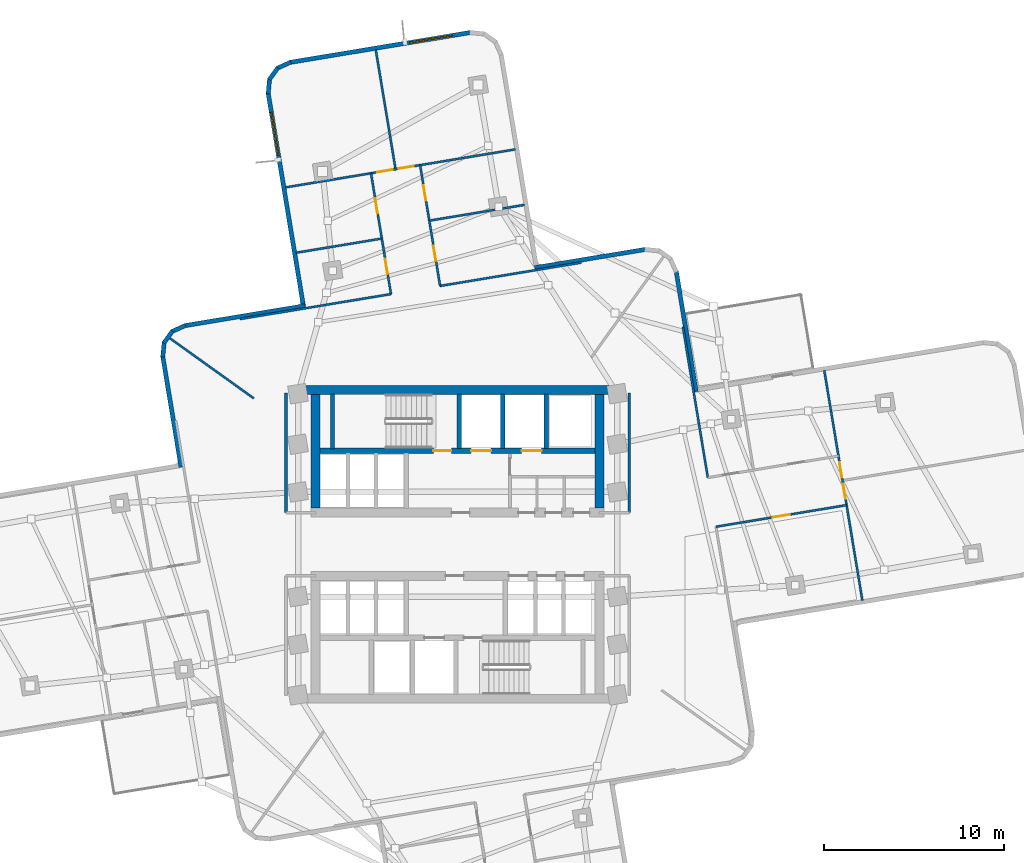
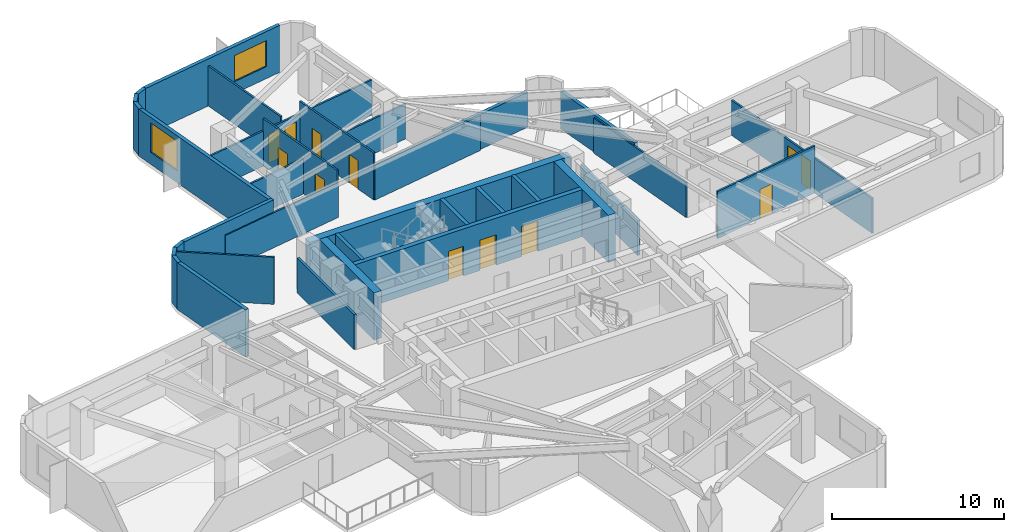
# One storey, part 5 of 9: 34 walls, 12 doors, 2 windows, 14 openings.
"""IFC4 building model written with IfcOpenShell, lengths in metres."""

from ifc_helpers import new_model, si_unit, direction, frame, frame_2d, origin, place, context, subcontext, project, spatial, rectangle, extrude, material, layer, layer_set, type_object, element, fill, save


model = new_model("IFC4")

# Units and contexts
model_context = context("Model", 3, precision=1e-05, world=origin(), true_north=direction((0.0, 1.0)))
body_context = subcontext(model_context, "Body", "Model", "MODEL_VIEW")
ifc_project = project(units=[si_unit("LENGTHUNIT", "METRE"), si_unit("AREAUNIT", "SQUARE_METRE"), si_unit("VOLUMEUNIT", "CUBIC_METRE"), si_unit("PLANEANGLEUNIT", "RADIAN"), si_unit("MASSUNIT", "GRAM", prefix="KILO")], contexts=[model_context])

# Site, building, storey
site_placement = place(None, origin())
site = spatial("IfcSite", under=ifc_project, at=site_placement, CompositionType="ELEMENT")
building_placement = place(site_placement, origin())
building = spatial("IfcBuilding", under=site, at=building_placement, Name="Solmarez Civic Tower", CompositionType="ELEMENT")
storey_placement = place(building_placement, frame((0.0, 0.0, 92.8798828125)))
storey = spatial("IfcBuildingStorey", under=building, at=storey_placement, Name="L24", CompositionType="ELEMENT", Elevation=92.8798828125)

# Walls
ifc_material_1 = material(Name="Concrete C60/75", Category="concrete")
ifc_layer_1 = layer(ifc_material_1, 0.5)
ifc_layer_set_1 = layer_set([ifc_layer_1], Name="Concrete C60/75")
wall_type_1 = type_object("IfcWallType", Name="WALL-CORE-500", PredefinedType="SHEAR", material=ifc_layer_set_1)
wall_1_placement = place(storey_placement, frame((-8.780029296875, 8.56005859375, 0.0), z_axis=(0.0, 0.0, 1.0), x_axis=(1.0, 0.0, 0.0)))
element("IfcWall", 1, at=wall_1_placement, inside=storey, type_object=wall_type_1, Name="L24 Split-Core Structural Wall NCW-N-L24", PredefinedType="SHEAR", context=body_context, shape_type="SweptSolid", body=[
    extrude(rectangle(XDim=17.56005859375, YDim=0.5, at=frame_2d((8.780029296875, 0.0))), origin(), (0.0, 0.0, 1.0), 3.340087890625),
])
for number, where, z_axis, x_axis, name in (
    (2, (-7.8701171875, 2.0, 0.0), (0.0, 0.0, 1.0), (0.0, 1.0, 0.0), "L24 Split-Core Structural Wall NCW-W-L24"),
    (3, (7.8701171875, 8.31005859375, 0.0), (0.0, 0.0, 1.0), (0.0, -1.0, 0.0), "L24 Split-Core Structural Wall NCW-E-L24"),
):
    element("IfcWall", number, at=place(storey_placement, frame(where, z_axis=z_axis, x_axis=x_axis)), inside=storey, type_object=wall_type_1, Name=name, PredefinedType="SHEAR", context=body_context, shape_type="SweptSolid", body=[
        extrude(rectangle(XDim=6.31005859375, YDim=0.5, at=frame_2d((3.155029296875, 0.0))), origin(), (0.0, 0.0, 1.0), 3.340087890625),
    ])
ifc_material_2 = material(Name="Precast concrete C40/50", Category="concrete")
ifc_layer_2 = layer(ifc_material_2, 0.239990234375)
ifc_layer_set_2 = layer_set([ifc_layer_2], Name="Precast concrete C40/50")
wall_type_2 = type_object("IfcWallType", Name="WALL-EXT-240", PredefinedType="SOLIDWALL", material=ifc_layer_set_2)
wall_2_placement = place(storey_placement, frame((-15.3349609375, 4.27587890625, 0.0), z_axis=(0.0, 0.0, 1.0), x_axis=(-0.16323720082, 0.986586851863, 0.0)))
element("IfcWall", 4, at=wall_2_placement, inside=storey, type_object=wall_type_2, Name="L24 Exterior Precast Wall 13", PredefinedType="SOLIDWALL", context=body_context, shape_type="SweptSolid", body=[
    extrude(rectangle(XDim=6.23681640625, YDim=0.239990234375, at=frame_2d((3.118408203125, 0.0))), origin(), (0.0, 0.0, 1.0), 3.340087890625),
])
wall_3_placement = place(storey_placement, frame((-16.35107421875, 10.37890625, 0.0), z_axis=(0.0, 0.0, 1.0), x_axis=(0.096474594184, 0.995335447313, 0.0)))
element("IfcWall", 5, at=wall_3_placement, inside=storey, type_object=wall_type_2, Name="L24 Exterior Precast Wall 14", PredefinedType="SOLIDWALL", context=body_context, shape_type="SweptSolid", body=[
    extrude(rectangle(XDim=0.830078125, YDim=0.239990234375, at=frame_2d((0.4150390625, 0.0))), origin(), (0.0, 0.0, 1.0), 3.340087890625),
])
wall_4_placement = place(storey_placement, frame((-16.2880859375, 11.159912109375, 0.0), z_axis=(0.0, 0.0, 1.0), x_axis=(0.583561896965, 0.812068662375, 0.0)))
element("IfcWall", 6, at=wall_4_placement, inside=storey, type_object=wall_type_2, Name="L24 Exterior Precast Wall 15", PredefinedType="SOLIDWALL", context=body_context, shape_type="SweptSolid", body=[
    extrude(rectangle(XDim=0.814208984375, YDim=0.239990234375, at=frame_2d((0.4072265625, 0.0))), origin(), (0.0, 0.0, 1.0), 3.340087890625),
])
wall_5_placement = place(storey_placement, frame((-15.85107421875, 11.791015625, 0.0), z_axis=(0.0, 0.0, 1.0), x_axis=(0.910868773958, 0.412696106872, 0.0)))
element("IfcWall", 7, at=wall_5_placement, inside=storey, type_object=wall_type_2, Name="L24 Exterior Precast Wall 16", PredefinedType="SOLIDWALL", context=body_context, shape_type="SweptSolid", body=[
    extrude(rectangle(XDim=0.8310546875, YDim=0.239990234375, at=frame_2d((0.41552734375, 0.0))), origin(), (0.0, 0.0, 1.0), 3.340087890625),
])
wall_6_placement = place(storey_placement, frame((-15.14208984375, 12.1201171875, 0.0), z_axis=(0.0, 0.0, 1.0), x_axis=(0.986586085056, 0.163241835244, 0.0)))
element("IfcWall", 8, at=wall_6_placement, inside=storey, type_object=wall_type_2, Name="L24 Exterior Precast Wall 17", PredefinedType="SOLIDWALL", context=body_context, shape_type="SweptSolid", body=[
    extrude(rectangle(XDim=6.77490234375, YDim=0.239990234375, at=frame_2d((3.387451171875, 0.0))), origin(), (0.0, 0.0, 1.0), 3.340087890625),
])

# Wall, opening, window
wall_7_placement = place(storey_placement, frame((-8.537109375, 13.114990234375, 0.0), z_axis=(0.0, 0.0, 1.0), x_axis=(-0.163290786455, 0.986577984276, 0.0)))
wall_7 = element("IfcWall", 9, at=wall_7_placement, inside=storey, type_object=wall_type_2, Name="L24 Exterior Precast Wall 20", PredefinedType="SOLIDWALL", context=body_context, shape_type="SweptSolid", body=[
    extrude(rectangle(XDim=12.076171875, YDim=0.239990234375, at=frame_2d((6.0380859375, 0.0))), origin(), (0.0, 0.0, 1.0), 3.340087890625),
])
opening_1_placement = place(wall_7_placement, frame((8.575927734375, 0.0, 0.85009765625)))
opening_1 = element("IfcOpeningElement", 10, at=opening_1_placement, cuts=wall_7, Name="Opening W-02", PredefinedType="OPENING", context=body_context, shape_type="SweptSolid", body=[
    extrude(rectangle(XDim=2.39990234375, YDim=2.10009765625, at=frame_2d((1.199951171875, 1.050048828125))), frame((0.0, 0.1298828125, 0.0), z_axis=(0.0, -1.0, 0.0), x_axis=(1.0, 0.0, 0.0)), (0.0, 0.0, 1.0), 0.260009765625),
])
ifc_material_3 = material(Name="Solar Control Bronze-Tinted Insulating Glass", Category="glass")
window_type_1 = type_object("IfcWindowType", Name="WIN-2400X2100", PartitioningType="SINGLE_PANEL", PredefinedType="WINDOW", material=ifc_material_3)
window_1_placement = place(opening_1_placement, origin())
window_1 = element("IfcWindow", 11, at=window_1_placement, inside=storey, type_object=window_type_1, Name="L24 Exterior Facade Window 20", OverallHeight=2.10009765625, OverallWidth=2.39990234375, PartitioningType="SINGLE_PANEL", PredefinedType="WINDOW", context=body_context, shape_type="SweptSolid", body=[
    extrude(rectangle(XDim=2.39990234375, YDim=2.10009765625, at=frame_2d((1.199951171875, 1.050048828125))), frame((0.0, 0.030029296875, 0.0), z_axis=(0.0, -1.0, 0.0), x_axis=(1.0, 0.0, 0.0)), (0.0, 0.0, 1.0), 0.06005859375),
])
fill(opening_1, window_1)

# Walls
wall_8_placement = place(storey_placement, frame((-10.507080078125, 24.97900390625, 0.0), z_axis=(0.0, 0.0, 1.0), x_axis=(0.096389937095, 0.995343649212, 0.0)))
element("IfcWall", 12, at=wall_8_placement, inside=storey, type_object=wall_type_2, Name="L24 Exterior Precast Wall 21", PredefinedType="SOLIDWALL", context=body_context, shape_type="SweptSolid", body=[
    extrude(rectangle(XDim=0.830810546875, YDim=0.239990234375, at=frame_2d((0.41552734375, 0.0))), origin(), (0.0, 0.0, 1.0), 3.340087890625),
])
wall_9_placement = place(storey_placement, frame((-10.444091796875, 25.760986328125, 0.0), z_axis=(0.0, 0.0, 1.0), x_axis=(0.583561896965, 0.812068662375, 0.0)))
element("IfcWall", 13, at=wall_9_placement, inside=storey, type_object=wall_type_2, Name="L24 Exterior Precast Wall 22", PredefinedType="SOLIDWALL", context=body_context, shape_type="SweptSolid", body=[
    extrude(rectangle(XDim=0.814208984375, YDim=0.239990234375, at=frame_2d((0.4072265625, 0.0))), origin(), (0.0, 0.0, 1.0), 3.340087890625),
])
wall_10_placement = place(storey_placement, frame((-10.007080078125, 26.39208984375, 0.0), z_axis=(0.0, 0.0, 1.0), x_axis=(0.91142038271, 0.41147647075, 0.0)))
element("IfcWall", 14, at=wall_10_placement, inside=storey, type_object=wall_type_2, Name="L24 Exterior Precast Wall 23", PredefinedType="SOLIDWALL", context=body_context, shape_type="SweptSolid", body=[
    extrude(rectangle(XDim=0.83056640625, YDim=0.239990234375, at=frame_2d((0.415283203125, 0.0))), origin(), (0.0, 0.0, 1.0), 3.340087890625),
])

# Wall, opening, window
wall_11_placement = place(storey_placement, frame((-9.298095703125, 26.719970703125, 0.0), z_axis=(0.0, 0.0, 1.0), x_axis=(0.98657583628, 0.163303763794, 0.0)))
wall_11 = element("IfcWall", 15, at=wall_11_placement, inside=storey, type_object=wall_type_2, Name="L24 Exterior Precast Wall 24", PredefinedType="SOLIDWALL", context=body_context, shape_type="SweptSolid", body=[
    extrude(rectangle(XDim=10.15869140625, YDim=0.239990234375, at=frame_2d((5.079345703125, 0.0))), origin(), (0.0, 0.0, 1.0), 3.340087890625),
])
opening_2_placement = place(wall_11_placement, frame((6.72412109375, 0.0, 0.85009765625)))
opening_2 = element("IfcOpeningElement", 16, at=opening_2_placement, cuts=wall_11, Name="Opening W-06", PredefinedType="OPENING", context=body_context, shape_type="SweptSolid", body=[
    extrude(rectangle(XDim=2.39990234375, YDim=1.85009765625, at=frame_2d((1.199951171875, 0.925048828125))), frame((0.0, 0.1298828125, 0.0), z_axis=(0.0, -1.0, 0.0), x_axis=(1.0, 0.0, 0.0)), (0.0, 0.0, 1.0), 0.260009765625),
])
window_type_2 = type_object("IfcWindowType", Name="WIN-2400X1850", PartitioningType="SINGLE_PANEL", PredefinedType="WINDOW", material=ifc_material_3)
window_2_placement = place(opening_2_placement, origin())
window_2 = element("IfcWindow", 17, at=window_2_placement, inside=storey, type_object=window_type_2, Name="L24 Exterior Facade Window 24", OverallHeight=1.85009765625, OverallWidth=2.39990234375, PartitioningType="SINGLE_PANEL", PredefinedType="WINDOW", context=body_context, shape_type="SweptSolid", body=[
    extrude(rectangle(XDim=2.39990234375, YDim=1.85009765625, at=frame_2d((1.199951171875, 0.925048828125))), frame((0.0, 0.030029296875, 0.0), z_axis=(0.0, -1.0, 0.0), x_axis=(1.0, 0.0, 0.0)), (0.0, 0.0, 1.0), 0.06005859375),
])
fill(opening_2, window_2)

# Walls
wall_12_placement = place(storey_placement, frame((4.27587890625, 15.3349609375, 0.0), z_axis=(0.0, 0.0, 1.0), x_axis=(0.986586851863, 0.16323720082, 0.0)))
element("IfcWall", 18, at=wall_12_placement, inside=storey, type_object=wall_type_2, Name="L24 Exterior Precast Wall 31", PredefinedType="SOLIDWALL", context=body_context, shape_type="SweptSolid", body=[
    extrude(rectangle(XDim=6.23681640625, YDim=0.239990234375, at=frame_2d((3.118408203125, 0.0))), origin(), (0.0, 0.0, 1.0), 2.486083984375),
])
wall_13_placement = place(storey_placement, frame((12.1201171875, 15.14208984375, 0.0), z_axis=(0.0, 0.0, 1.0), x_axis=(0.163241835244, -0.986586085056, 0.0)))
element("IfcWall", 19, at=wall_13_placement, inside=storey, type_object=wall_type_2, Name="L24 Exterior Precast Wall 35", PredefinedType="SOLIDWALL", context=body_context, shape_type="SweptSolid", body=[
    extrude(rectangle(XDim=6.77490234375, YDim=0.239990234375, at=frame_2d((3.387451171875, 0.0))), origin(), (0.0, 0.0, 1.0), 2.64404296875),
])
ifc_material_4 = material(Name="Gypsum Board Acoustic Steel-Stud Partition", Category="steel")
ifc_layer_3 = layer(ifc_material_4, 0.14990234375)
ifc_layer_set_3 = layer_set([ifc_layer_3], Name="Gypsum Board Acoustic Steel-Stud Partition")
wall_type_3 = type_object("IfcWallType", Name="WALL-INT-FIRE-150", PredefinedType="PARTITIONING", material=ifc_layer_set_3)
for number, where, z_axis, x_axis, name in (
    (20, (-9.52001953125, 1.75, 0.0), (0.0, 0.0, 1.0), (0.0, 1.0, 0.0), "L24 Interior Partition CHW-L24-WN1"),
    (21, (9.52001953125, 1.75, 0.0), (0.0, 0.0, 1.0), (0.0, 1.0, 0.0), "L24 Interior Partition CHW-L24-EN1"),
):
    element("IfcWall", number, at=place(storey_placement, frame(where, z_axis=z_axis, x_axis=x_axis)), inside=storey, type_object=wall_type_3, Name=name, PredefinedType="PARTITIONING", context=body_context, shape_type="SweptSolid", body=[
        extrude(rectangle(XDim=6.6298828125, YDim=0.14990234375, at=frame_2d((3.31494140625, 0.0))), origin(), (0.0, 0.0, 1.0), 2.486083984375),
    ])
ifc_layer_4 = layer(ifc_material_4, 0.1201171875)
ifc_layer_set_4 = layer_set([ifc_layer_4], Name="Gypsum Board Acoustic Steel-Stud Partition")
wall_type_4 = type_object("IfcWallType", Name="WALL-INT-PART-120", PredefinedType="PARTITIONING", material=ifc_layer_set_4)
wall_14_placement = place(storey_placement, frame((-11.300048828125, 8.090087890625, 0.0), z_axis=(0.0, 0.0, 1.0), x_axis=(-0.813131268368, 0.582080355623, 0.0)))
element("IfcWall", 22, at=wall_14_placement, inside=storey, type_object=wall_type_4, Name="L24 Interior Partition PT-L24-QDIV-2", PredefinedType="PARTITIONING", context=body_context, shape_type="SweptSolid", body=[
    extrude(rectangle(XDim=5.756591796875, YDim=0.1201171875, at=frame_2d((2.87841796875, 0.0))), origin(), (0.0, 0.0, 1.0), 3.340087890625),
])
wall_15_placement = place(storey_placement, frame((13.8740234375, 3.68603515625, 0.0), z_axis=(0.0, 0.0, 1.0), x_axis=(-0.163270245909, 0.98658138377, 0.0)))
element("IfcWall", 23, at=wall_15_placement, inside=storey, type_object=wall_type_4, Name="L24 Interior Partition PT-L24-E-EFL", PredefinedType="PARTITIONING", context=body_context, shape_type="SweptSolid", body=[
    extrude(rectangle(XDim=8.489013671875, YDim=0.1201171875, at=frame_2d((4.24462890625, 0.0))), origin(), (0.0, 0.0, 1.0), 2.486083984375),
])

# Wall, opening, door
wall_16_placement = place(storey_placement, frame((14.323974609375, 0.971923828125, 0.0), z_axis=(0.0, 0.0, 1.0), x_axis=(0.986566884893, 0.163357833093, 0.0)))
wall_16 = element("IfcWall", 24, at=wall_16_placement, inside=storey, type_object=wall_type_4, Name="L24 Interior Partition PT-L24-E-SR", PredefinedType="PARTITIONING", context=body_context, shape_type="SweptSolid", body=[
    extrude(rectangle(XDim=7.339599609375, YDim=0.1201171875, at=frame_2d((3.669921875, 0.0))), origin(), (0.0, 0.0, 1.0), 3.340087890625),
])
opening_3_placement = place(wall_16_placement, frame((3.18994140625, 0.0, 0.0)))
opening_3 = element("IfcOpeningElement", 25, at=opening_3_placement, cuts=wall_16, Name="Opening D-10", PredefinedType="OPENING", context=body_context, shape_type="SweptSolid", body=[
    extrude(rectangle(XDim=0.949951171875, YDim=2.080078125, at=frame_2d((0.47509765625, 1.0400390625))), frame((0.0, 0.070068359375, 0.0), z_axis=(0.0, -1.0, 0.0), x_axis=(1.0, 0.0, 0.0)), (0.0, 0.0, 1.0), 0.14013671875),
])
ifc_material_5 = material(Name="Solid-Core Timber Ministry Office Door", Category="wood")
door_type_1 = type_object("IfcDoorType", Name="DOOR-INT-950", OperationType="NOTDEFINED", PredefinedType="DOOR", material=ifc_material_5)
door_1_placement = place(opening_3_placement, origin())
door_1 = element("IfcDoor", 26, at=door_1_placement, inside=storey, type_object=door_type_1, Name="L24 Press Study Room Third East Door", OperationType="SINGLE_SWING_RIGHT", OverallHeight=2.080078125, OverallWidth=0.949951171875, PredefinedType="DOOR", context=body_context, shape_type="SweptSolid", body=[
    extrude(rectangle(XDim=0.949951171875, YDim=2.080078125, at=frame_2d((0.47509765625, 1.0400390625))), frame((0.0, 0.02490234375, 0.0), z_axis=(0.0, -1.0, 0.0), x_axis=(1.0, 0.0, 0.0)), (0.0, 0.0, 1.0), 0.050048828125),
])
fill(opening_3, door_1)

# Wall, openings, doors
wall_17_placement = place(storey_placement, frame((20.327880859375, 9.64501953125, 0.0), z_axis=(0.0, 0.0, 1.0), x_axis=(0.163336472865, -0.986570421527, 0.0)))
wall_17 = element("IfcWall", 27, at=wall_17_placement, inside=storey, type_object=wall_type_4, Name="L24 Interior Partition PT-L24-E-END", PredefinedType="PARTITIONING", context=body_context, shape_type="SweptSolid", body=[
    extrude(rectangle(XDim=12.9306640625, YDim=0.1201171875, at=frame_2d((6.46533203125, 0.0))), origin(), (0.0, 0.0, 1.0), 2.486083984375),
])
opening_4_placement = place(wall_17_placement, frame((6.364990234375, 0.0, 0.0)))
opening_4 = element("IfcOpeningElement", 28, at=opening_4_placement, cuts=wall_17, Name="Opening D-14", PredefinedType="OPENING", context=body_context, shape_type="SweptSolid", body=[
    extrude(rectangle(XDim=0.860107421875, YDim=2.0400390625, at=frame_2d((0.43017578125, 1.02001953125))), frame((0.0, 0.070068359375, 0.0), z_axis=(0.0, -1.0, 0.0), x_axis=(1.0, 0.0, 0.0)), (0.0, 0.0, 1.0), 0.14013671875),
])
opening_5_placement = place(wall_17_placement, frame((5.1650390625, 0.0, 0.0)))
opening_5 = element("IfcOpeningElement", 29, at=opening_5_placement, cuts=wall_17, Name="Opening D-14", PredefinedType="OPENING", context=body_context, shape_type="SweptSolid", body=[
    extrude(rectangle(XDim=0.860107421875, YDim=2.0400390625, at=frame_2d((0.43017578125, 1.02001953125))), frame((0.0, 0.070068359375, 0.0), z_axis=(0.0, -1.0, 0.0), x_axis=(1.0, 0.0, 0.0)), (0.0, 0.0, 1.0), 0.14013671875),
])
ifc_material_6 = material(Name="Timber Storage and Pantry Door", Category="wood")
door_type_2 = type_object("IfcDoorType", Name="DOOR-INT-850", OperationType="NOTDEFINED", PredefinedType="DOOR", material=ifc_material_6)
door_2_placement = place(opening_4_placement, origin())
door_2 = element("IfcDoor", 30, at=door_2_placement, inside=storey, type_object=door_type_2, Name="L24 Catering Pantry Sixth East Door", OperationType="SINGLE_SWING_RIGHT", OverallHeight=2.0400390625, OverallWidth=0.860107421875, PredefinedType="DOOR", context=body_context, shape_type="SweptSolid", body=[
    extrude(rectangle(XDim=0.860107421875, YDim=2.0400390625, at=frame_2d((0.43017578125, 1.02001953125))), frame((0.0, 0.02490234375, 0.0), z_axis=(0.0, -1.0, 0.0), x_axis=(1.0, 0.0, 0.0)), (0.0, 0.0, 1.0), 0.050048828125),
])
fill(opening_4, door_2)
door_3_placement = place(opening_5_placement, origin())
door_3 = element("IfcDoor", 31, at=door_3_placement, inside=storey, type_object=door_type_2, Name="L24 Press Study Room Fifth East Door", OperationType="SINGLE_SWING_LEFT", OverallHeight=2.0400390625, OverallWidth=0.860107421875, PredefinedType="DOOR", context=body_context, shape_type="SweptSolid", body=[
    extrude(rectangle(XDim=0.860107421875, YDim=2.0400390625, at=frame_2d((0.43017578125, 1.02001953125))), frame((0.0, 0.02490234375, 0.0), z_axis=(0.0, -1.0, 0.0), x_axis=(1.0, 0.0, 0.0)), (0.0, 0.0, 1.0), 0.050048828125),
])
fill(opening_5, door_3)

# Walls
wall_18_placement = place(storey_placement, frame((-3.68603515625, 13.8740234375, 0.0), z_axis=(0.0, 0.0, 1.0), x_axis=(-0.98658138377, -0.163270245909, 0.0)))
element("IfcWall", 32, at=wall_18_placement, inside=storey, type_object=wall_type_4, Name="L24 Interior Partition PT-L24-N-EFL", PredefinedType="PARTITIONING", context=body_context, shape_type="SweptSolid", body=[
    extrude(rectangle(XDim=8.489013671875, YDim=0.1201171875, at=frame_2d((4.24462890625, 0.0))), origin(), (0.0, 0.0, 1.0), 2.486083984375),
])
wall_19_placement = place(storey_placement, frame((6.860107421875, 15.6201171875, 0.0), z_axis=(0.0, 0.0, 1.0), x_axis=(-0.986575116384, -0.16330811288, 0.0)))
element("IfcWall", 33, at=wall_19_placement, inside=storey, type_object=wall_type_4, Name="L24 Interior Partition PT-L24-N-EFR", PredefinedType="PARTITIONING", context=body_context, shape_type="SweptSolid", body=[
    extrude(rectangle(XDim=7.94873046875, YDim=0.1201171875, at=frame_2d((3.974365234375, 0.0))), origin(), (0.0, 0.0, 1.0), 2.486083984375),
])
wall_20_placement = place(storey_placement, frame((-4.22509765625, 16.947998046875, 0.0), z_axis=(0.0, 0.0, 1.0), x_axis=(-0.986542154764, -0.163507115668, 0.0)))
element("IfcWall", 34, at=wall_20_placement, inside=storey, type_object=wall_type_4, Name="L24 Interior Partition PT-L24-N-LM", PredefinedType="PARTITIONING", context=body_context, shape_type="SweptSolid", body=[
    extrude(rectangle(XDim=4.79443359375, YDim=0.1201171875, at=frame_2d((2.397216796875, 0.0))), origin(), (0.0, 0.0, 1.0), 2.486083984375),
])
wall_21_placement = place(storey_placement, frame((3.7109375, 18.819091796875, 0.0), z_axis=(0.0, 0.0, 1.0), x_axis=(-0.986548097851, -0.163471253213, 0.0)))
element("IfcWall", 35, at=wall_21_placement, inside=storey, type_object=wall_type_4, Name="L24 Interior Partition PT-L24-N-RM", PredefinedType="PARTITIONING", context=body_context, shape_type="SweptSolid", body=[
    extrude(rectangle(XDim=5.334716796875, YDim=0.1201171875, at=frame_2d((2.66748046875, 0.0))), origin(), (0.0, 0.0, 1.0), 2.486083984375),
])

# Wall, openings, doors
wall_22_placement = place(storey_placement, frame((-4.803955078125, 20.572021484375, 0.0), z_axis=(0.0, 0.0, 1.0), x_axis=(0.163308569386, -0.986575040818, 0.0)))
wall_22 = element("IfcWall", 36, at=wall_22_placement, inside=storey, type_object=wall_type_4, Name="L24 Interior Partition PT-L24-N-SL", PredefinedType="PARTITIONING", context=body_context, shape_type="SweptSolid", body=[
    extrude(rectangle(XDim=6.7900390625, YDim=0.1201171875, at=frame_2d((3.39501953125, 0.0))), origin(), (0.0, 0.0, 1.0), 3.340087890625),
])
opening_6_placement = place(wall_22_placement, frame((4.800048828125, 0.0, 0.0)))
opening_6 = element("IfcOpeningElement", 37, at=opening_6_placement, cuts=wall_22, Name="Opening D-14", PredefinedType="OPENING", context=body_context, shape_type="SweptSolid", body=[
    extrude(rectangle(XDim=0.860107421875, YDim=2.0400390625, at=frame_2d((0.43017578125, 1.02001953125))), frame((0.0, 0.070068359375, 0.0), z_axis=(0.0, -1.0, 0.0), x_axis=(1.0, 0.0, 0.0)), (0.0, 0.0, 1.0), 0.14013671875),
])
opening_7_placement = place(wall_22_placement, frame((1.405029296875, 0.0, 0.0)))
opening_7 = element("IfcOpeningElement", 38, at=opening_7_placement, cuts=wall_22, Name="Opening D-14", PredefinedType="OPENING", context=body_context, shape_type="SweptSolid", body=[
    extrude(rectangle(XDim=0.860107421875, YDim=2.0400390625, at=frame_2d((0.43017578125, 1.02001953125))), frame((0.0, 0.070068359375, 0.0), z_axis=(0.0, -1.0, 0.0), x_axis=(1.0, 0.0, 0.0)), (0.0, 0.0, 1.0), 0.14013671875),
])
door_4_placement = place(opening_6_placement, origin())
door_4 = element("IfcDoor", 39, at=door_4_placement, inside=storey, type_object=door_type_2, Name="L24 Civic Lecture Classroom First North Door", OperationType="SINGLE_SWING_LEFT", OverallHeight=2.0400390625, OverallWidth=0.860107421875, PredefinedType="DOOR", context=body_context, shape_type="SweptSolid", body=[
    extrude(rectangle(XDim=0.860107421875, YDim=2.0400390625, at=frame_2d((0.43017578125, 1.02001953125))), frame((0.0, 0.02490234375, 0.0), z_axis=(0.0, -1.0, 0.0), x_axis=(1.0, 0.0, 0.0)), (0.0, 0.0, 1.0), 0.050048828125),
])
fill(opening_6, door_4)
door_5_placement = place(opening_7_placement, origin())
door_5 = element("IfcDoor", 40, at=door_5_placement, inside=storey, type_object=door_type_2, Name="L24 Press Study Room Second North Door", OperationType="SINGLE_SWING_RIGHT", OverallHeight=2.0400390625, OverallWidth=0.860107421875, PredefinedType="DOOR", context=body_context, shape_type="SweptSolid", body=[
    extrude(rectangle(XDim=0.860107421875, YDim=2.0400390625, at=frame_2d((0.43017578125, 1.02001953125))), frame((0.0, 0.02490234375, 0.0), z_axis=(0.0, -1.0, 0.0), x_axis=(1.0, 0.0, 0.0)), (0.0, 0.0, 1.0), 0.050048828125),
])
fill(opening_7, door_5)

wall_23_placement = place(storey_placement, frame((-0.971923828125, 14.323974609375, 0.0), z_axis=(0.0, 0.0, 1.0), x_axis=(-0.163366745174, 0.98656540917, 0.0)))
wall_23 = element("IfcWall", 41, at=wall_23_placement, inside=storey, type_object=wall_type_4, Name="L24 Interior Partition PT-L24-N-SR", PredefinedType="PARTITIONING", context=body_context, shape_type="SweptSolid", body=[
    extrude(rectangle(XDim=6.789306640625, YDim=0.1201171875, at=frame_2d((3.39453125, 0.0))), origin(), (0.0, 0.0, 1.0), 3.340087890625),
])
opening_8_placement = place(wall_23_placement, frame((1.405029296875, 0.0, 0.0)))
opening_8 = element("IfcOpeningElement", 42, at=opening_8_placement, cuts=wall_23, Name="Opening D-14", PredefinedType="OPENING", context=body_context, shape_type="SweptSolid", body=[
    extrude(rectangle(XDim=0.860107421875, YDim=2.0400390625, at=frame_2d((0.43017578125, 1.02001953125))), frame((0.0, 0.070068359375, 0.0), z_axis=(0.0, -1.0, 0.0), x_axis=(1.0, 0.0, 0.0)), (0.0, 0.0, 1.0), 0.14013671875),
])
opening_9_placement = place(wall_23_placement, frame((4.800048828125, 0.0, 0.0)))
opening_9 = element("IfcOpeningElement", 43, at=opening_9_placement, cuts=wall_23, Name="Opening D-14", PredefinedType="OPENING", context=body_context, shape_type="SweptSolid", body=[
    extrude(rectangle(XDim=0.860107421875, YDim=2.0400390625, at=frame_2d((0.43017578125, 1.02001953125))), frame((0.0, 0.070068359375, 0.0), z_axis=(0.0, -1.0, 0.0), x_axis=(1.0, 0.0, 0.0)), (0.0, 0.0, 1.0), 0.14013671875),
])
door_6_placement = place(opening_8_placement, origin())
door_6 = element("IfcDoor", 44, at=door_6_placement, inside=storey, type_object=door_type_2, Name="L24 Catering Pantry Third North Door", OperationType="SINGLE_SWING_RIGHT", OverallHeight=2.0400390625, OverallWidth=0.860107421875, PredefinedType="DOOR", context=body_context, shape_type="SweptSolid", body=[
    extrude(rectangle(XDim=0.860107421875, YDim=2.0400390625, at=frame_2d((0.43017578125, 1.02001953125))), frame((0.0, 0.02490234375, 0.0), z_axis=(0.0, -1.0, 0.0), x_axis=(1.0, 0.0, 0.0)), (0.0, 0.0, 1.0), 0.050048828125),
])
fill(opening_8, door_6)
door_7_placement = place(opening_9_placement, origin())
door_7 = element("IfcDoor", 45, at=door_7_placement, inside=storey, type_object=door_type_2, Name="L24 Public Exhibition Library Fourth North Door", OperationType="SINGLE_SWING_LEFT", OverallHeight=2.0400390625, OverallWidth=0.860107421875, PredefinedType="DOOR", context=body_context, shape_type="SweptSolid", body=[
    extrude(rectangle(XDim=0.860107421875, YDim=2.0400390625, at=frame_2d((0.43017578125, 1.02001953125))), frame((0.0, 0.02490234375, 0.0), z_axis=(0.0, -1.0, 0.0), x_axis=(1.0, 0.0, 0.0)), (0.0, 0.0, 1.0), 0.050048828125),
])
fill(opening_9, door_7)

# Wall
wall_24_placement = place(storey_placement, frame((-3.452880859375, 20.85595703125, 0.0), z_axis=(0.0, 0.0, 1.0), x_axis=(-0.163346014225, 0.986568841813, 0.0)))
element("IfcWall", 46, at=wall_24_placement, inside=storey, type_object=wall_type_4, Name="L24 Interior Partition PT-L24-N-TM", PredefinedType="PARTITIONING", context=body_context, shape_type="SweptSolid", body=[
    extrude(rectangle(XDim=6.655517578125, YDim=0.1201171875, at=frame_2d((3.32763671875, 0.0))), origin(), (0.0, 0.0, 1.0), 2.83203125),
])

# Wall, openings, doors
wall_25_placement = place(storey_placement, frame((-9.554931640625, 19.785888671875, 0.0), z_axis=(0.0, 0.0, 1.0), x_axis=(0.98658208559, 0.163266005016, 0.0)))
wall_25 = element("IfcWall", 47, at=wall_25_placement, inside=storey, type_object=wall_type_4, Name="L24 Interior Partition PT-L24-N-END", PredefinedType="PARTITIONING", context=body_context, shape_type="SweptSolid", body=[
    extrude(rectangle(XDim=12.930419921875, YDim=0.1201171875, at=frame_2d((6.46533203125, 0.0))), origin(), (0.0, 0.0, 1.0), 2.486083984375),
])
opening_10_placement = place(wall_25_placement, frame((6.364990234375, 0.0, 0.0)))
opening_10 = element("IfcOpeningElement", 48, at=opening_10_placement, cuts=wall_25, Name="Opening D-14", PredefinedType="OPENING", context=body_context, shape_type="SweptSolid", body=[
    extrude(rectangle(XDim=0.860107421875, YDim=2.0400390625, at=frame_2d((0.43017578125, 1.02001953125))), frame((0.0, 0.070068359375, 0.0), z_axis=(0.0, -1.0, 0.0), x_axis=(1.0, 0.0, 0.0)), (0.0, 0.0, 1.0), 0.14013671875),
])
opening_11_placement = place(wall_25_placement, frame((5.1650390625, 0.0, 0.0)))
opening_11 = element("IfcOpeningElement", 49, at=opening_11_placement, cuts=wall_25, Name="Opening D-14", PredefinedType="OPENING", context=body_context, shape_type="SweptSolid", body=[
    extrude(rectangle(XDim=0.860107421875, YDim=2.0400390625, at=frame_2d((0.43017578125, 1.02001953125))), frame((0.0, 0.070068359375, 0.0), z_axis=(0.0, -1.0, 0.0), x_axis=(1.0, 0.0, 0.0)), (0.0, 0.0, 1.0), 0.14013671875),
])
door_8_placement = place(opening_10_placement, origin())
door_8 = element("IfcDoor", 50, at=door_8_placement, inside=storey, type_object=door_type_2, Name="L24 Public Exhibition Library Sixth North Door", OperationType="SINGLE_SWING_RIGHT", OverallHeight=2.0400390625, OverallWidth=0.860107421875, PredefinedType="DOOR", context=body_context, shape_type="SweptSolid", body=[
    extrude(rectangle(XDim=0.860107421875, YDim=2.0400390625, at=frame_2d((0.43017578125, 1.02001953125))), frame((0.0, 0.02490234375, 0.0), z_axis=(0.0, -1.0, 0.0), x_axis=(1.0, 0.0, 0.0)), (0.0, 0.0, 1.0), 0.050048828125),
])
fill(opening_10, door_8)
door_9_placement = place(opening_11_placement, origin())
door_9 = element("IfcDoor", 51, at=door_9_placement, inside=storey, type_object=door_type_2, Name="L24 Catering Pantry Fifth North Door", OperationType="SINGLE_SWING_LEFT", OverallHeight=2.0400390625, OverallWidth=0.860107421875, PredefinedType="DOOR", context=body_context, shape_type="SweptSolid", body=[
    extrude(rectangle(XDim=0.860107421875, YDim=2.0400390625, at=frame_2d((0.43017578125, 1.02001953125))), frame((0.0, 0.02490234375, 0.0), z_axis=(0.0, -1.0, 0.0), x_axis=(1.0, 0.0, 0.0)), (0.0, 0.0, 1.0), 0.050048828125),
])
fill(opening_11, door_9)

ifc_material_7 = material(Name="Concrete C50/60", Category="concrete")
ifc_layer_5 = layer(ifc_material_7, 0.300048828125)
ifc_layer_set_5 = layer_set([ifc_layer_5], Name="Concrete C50/60")
wall_type_5 = type_object("IfcWallType", Name="WALL-STR-300", PredefinedType="SOLIDWALL", material=ifc_layer_set_5)
wall_26_placement = place(storey_placement, frame((7.6201171875, 5.179931640625, 0.0), z_axis=(0.0, 0.0, 1.0), x_axis=(-1.0, 0.0, 0.0)))
wall_26 = element("IfcWall", 52, at=wall_26_placement, inside=storey, type_object=wall_type_5, Name="L24 Split-Core Structural Wall NCW-M-L24", PredefinedType="SOLIDWALL", context=body_context, shape_type="SweptSolid", body=[
    extrude(rectangle(XDim=15.240234375, YDim=0.300048828125, at=frame_2d((7.6201171875, 0.0))), origin(), (0.0, 0.0, 1.0), 3.340087890625),
])
opening_12_placement = place(wall_26_placement, frame((5.77001953125, 0.0, 0.0)))
opening_12 = element("IfcOpeningElement", 53, at=opening_12_placement, cuts=wall_26, Name="Opening LD-02", PredefinedType="OPENING", context=body_context, shape_type="SweptSolid", body=[
    extrude(rectangle(XDim=1.10009765625, YDim=2.14990234375, at=frame_2d((0.550048828125, 1.074951171875))), frame((0.0, 0.159912109375, 0.0), z_axis=(0.0, -1.0, 0.0), x_axis=(1.0, 0.0, 0.0)), (0.0, 0.0, 1.0), 0.320068359375),
])
opening_13_placement = place(wall_26_placement, frame((2.969970703125, 0.0, 0.0)))
opening_13 = element("IfcOpeningElement", 54, at=opening_13_placement, cuts=wall_26, Name="Opening LD-03", PredefinedType="OPENING", context=body_context, shape_type="SweptSolid", body=[
    extrude(rectangle(XDim=1.10009765625, YDim=2.14990234375, at=frame_2d((0.550048828125, 1.074951171875))), frame((0.0, 0.159912109375, 0.0), z_axis=(0.0, -1.0, 0.0), x_axis=(1.0, 0.0, 0.0)), (0.0, 0.0, 1.0), 0.320068359375),
])
opening_14_placement = place(wall_26_placement, frame((7.969970703125, 0.0, 0.0)))
opening_14 = element("IfcOpeningElement", 55, at=opening_14_placement, cuts=wall_26, Name="Opening D-05", PredefinedType="OPENING", context=body_context, shape_type="SweptSolid", body=[
    extrude(rectangle(XDim=1.0, YDim=2.10009765625, at=frame_2d((0.5, 1.050048828125))), frame((0.0, 0.159912109375, 0.0), z_axis=(0.0, -1.0, 0.0), x_axis=(1.0, 0.0, 0.0)), (0.0, 0.0, 1.0), 0.320068359375),
])
ifc_material_8 = material(Name="Fire-Rated Stairwell Exit Door", Category="wood")
door_type_3 = type_object("IfcDoorType", Name="DOOR-FD90-1000", OperationType="NOTDEFINED", PredefinedType="DOOR", material=ifc_material_8)
door_10_placement = place(opening_14_placement, origin())
door_10 = element("IfcDoor", 56, at=door_10_placement, inside=storey, type_object=door_type_3, Name="L24 North Exit Stair Door ST-1", OperationType="SINGLE_SWING_LEFT", OverallHeight=2.10009765625, OverallWidth=1.0, PredefinedType="DOOR", context=body_context, shape_type="SweptSolid", body=[
    extrude(rectangle(XDim=1.0, YDim=2.10009765625, at=frame_2d((0.5, 1.050048828125))), frame((0.0, 0.02490234375, 0.0), z_axis=(0.0, -1.0, 0.0), x_axis=(1.0, 0.0, 0.0)), (0.0, 0.0, 1.0), 0.050048828125),
])
fill(opening_14, door_10)
ifc_material_9 = material(Name="Stainless Firefighting Lift Landing Sliding Door", Category="aluminium")
door_type_4 = type_object("IfcDoorType", Name="DOOR-LD-FF-1100", OperationType="DOUBLE_DOOR_SLIDING", PredefinedType="DOOR", material=ifc_material_9)
door_11_placement = place(opening_12_placement, origin())
door_11 = element("IfcDoor", 57, at=door_11_placement, inside=storey, type_object=door_type_4, Name="L24 Firefighting Lift Landing Door FFL-1", OperationType="DOUBLE_DOOR_SLIDING", OverallHeight=2.14990234375, OverallWidth=1.10009765625, PredefinedType="DOOR", context=body_context, shape_type="SweptSolid", body=[
    extrude(rectangle(XDim=1.10009765625, YDim=2.14990234375, at=frame_2d((0.550048828125, 1.074951171875))), frame((0.0, 0.02490234375, 0.0), z_axis=(0.0, -1.0, 0.0), x_axis=(1.0, 0.0, 0.0)), (0.0, 0.0, 1.0), 0.050048828125),
])
fill(opening_12, door_11)
ifc_material_10 = material(Name="Stainless Stretcher Lift Landing Sliding Door", Category="aluminium")
door_type_5 = type_object("IfcDoorType", Name="DOOR-LD-SV-1100", OperationType="DOUBLE_DOOR_SLIDING", PredefinedType="DOOR", material=ifc_material_10)
door_12_placement = place(opening_13_placement, origin())
door_12 = element("IfcDoor", 58, at=door_12_placement, inside=storey, type_object=door_type_5, Name="L24 Service Stretcher Lift Landing Door SVL-1", OperationType="DOUBLE_DOOR_SLIDING", OverallHeight=2.14990234375, OverallWidth=1.10009765625, PredefinedType="DOOR", context=body_context, shape_type="SweptSolid", body=[
    extrude(rectangle(XDim=1.10009765625, YDim=2.14990234375, at=frame_2d((0.550048828125, 1.074951171875))), frame((0.0, 0.02490234375, 0.0), z_axis=(0.0, -1.0, 0.0), x_axis=(1.0, 0.0, 0.0)), (0.0, 0.0, 1.0), 0.050048828125),
])
fill(opening_13, door_12)

# Walls
wall_27_placement = place(storey_placement, frame((-6.949951171875, 5.280029296875, 0.0), z_axis=(0.0, 0.0, 1.0), x_axis=(0.0, 1.0, 0.0)))
element("IfcWall", 59, at=wall_27_placement, inside=storey, type_object=wall_type_5, Name="L24 Split-Core Structural Wall SHW-NW-L24", PredefinedType="SOLIDWALL", context=body_context, shape_type="SweptSolid", body=[
    extrude(rectangle(XDim=3.06005859375, YDim=0.219970703125, at=frame_2d((1.530029296875, 0.0))), origin(), (0.0, 0.0, 1.0), 3.340087890625),
])
for number, where, z_axis, x_axis, name in (
    (60, (0.10009765625, 5.300048828125, 0.0), (0.0, 0.0, 1.0), (0.0, 1.0, 0.0), "L24 Split-Core Structural Wall SHW-N1-L24"),
    (61, (2.5, 5.300048828125, 0.0), (0.0, 0.0, 1.0), (0.0, 1.0, 0.0), "L24 Split-Core Structural Wall SHW-N2-L24"),
    (62, (4.89990234375, 5.300048828125, 0.0), (0.0, 0.0, 1.0), (0.0, 1.0, 0.0), "L24 Split-Core Structural Wall SHW-N3-L24"),
):
    element("IfcWall", number, at=place(storey_placement, frame(where, z_axis=z_axis, x_axis=x_axis)), inside=storey, type_object=wall_type_5, Name=name, PredefinedType="SOLIDWALL", context=body_context, shape_type="SweptSolid", body=[
        extrude(rectangle(XDim=3.0400390625, YDim=0.25, at=frame_2d((1.52001953125, 0.0))), origin(), (0.0, 0.0, 1.0), 3.340087890625),
    ])

save(model, "model.ifc")
